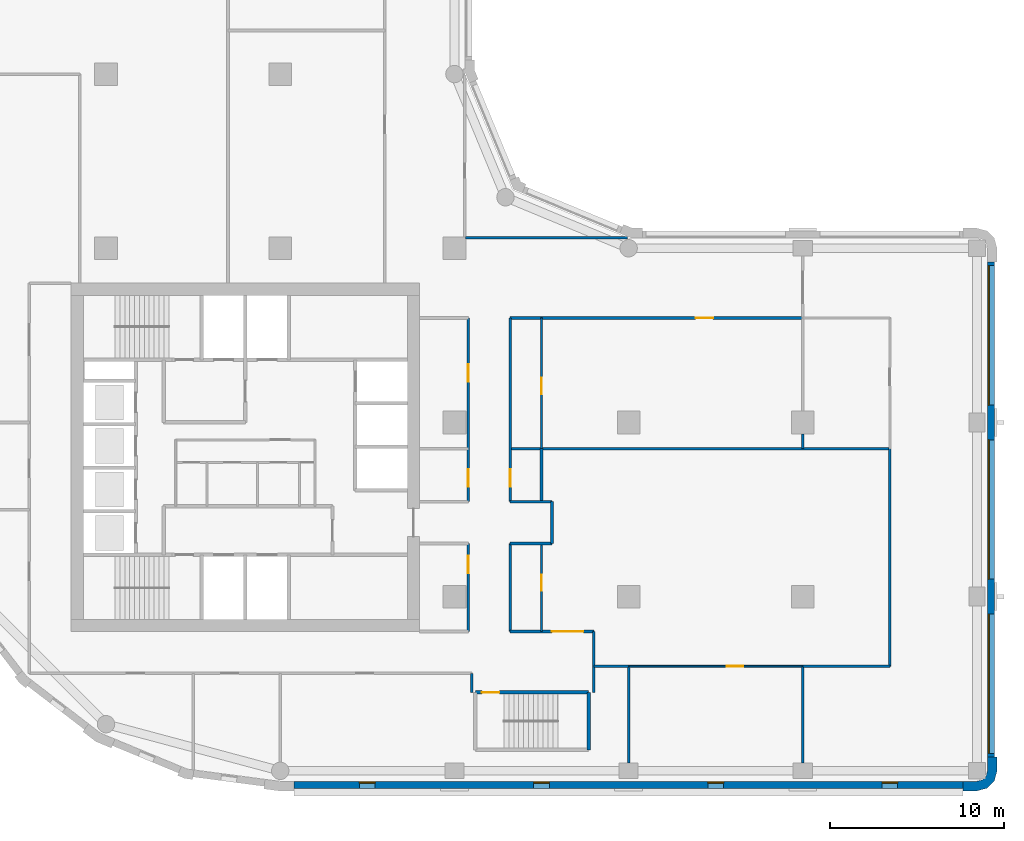
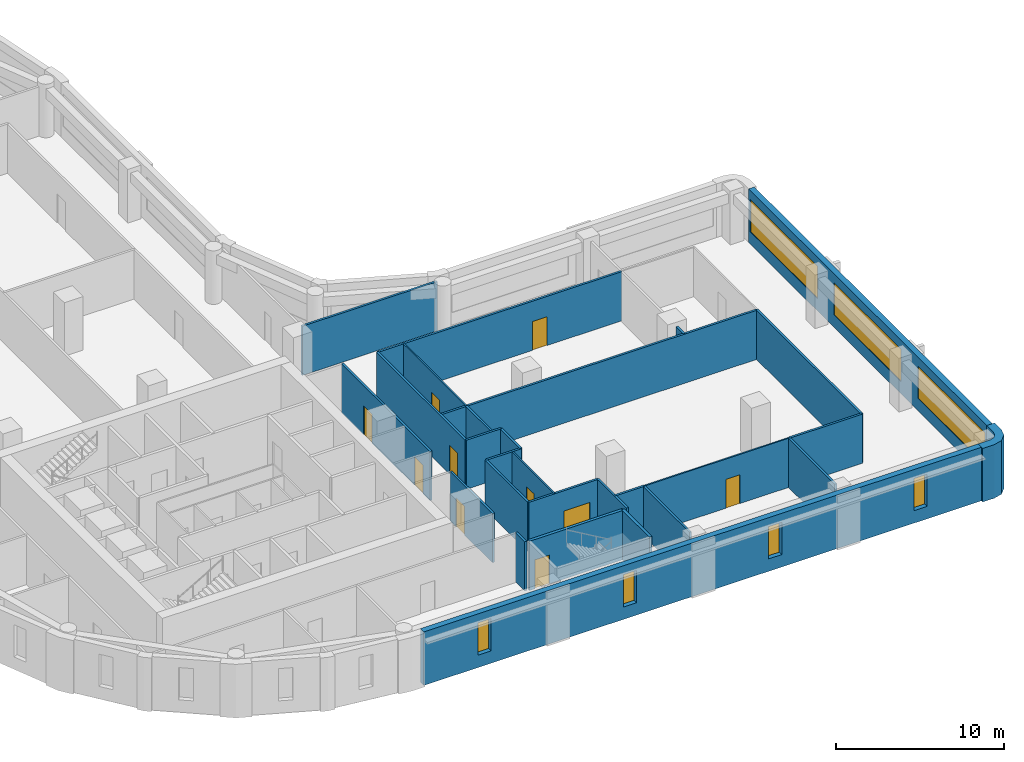
# One storey, part 4 of 9: 28 walls, 10 doors, 7 windows, 17 openings.
"""IFC4 building model written with IfcOpenShell, lengths in metres."""

from ifc_helpers import new_model, si_unit, direction, frame, frame_2d, origin, place, context, subcontext, project, spatial, polyline, rectangle, outline, extrude, material, layer, layer_set, type_object, element, fill, save


model = new_model("IFC4")

# Units and contexts
model_context = context("Model", 3, precision=1e-05, world=origin(), true_north=direction((0.0, 1.0)))
body_context = subcontext(model_context, "Body", "Model", "MODEL_VIEW")
ifc_project = project(units=[si_unit("LENGTHUNIT", "METRE"), si_unit("AREAUNIT", "SQUARE_METRE"), si_unit("VOLUMEUNIT", "CUBIC_METRE"), si_unit("PLANEANGLEUNIT", "RADIAN"), si_unit("MASSUNIT", "GRAM", prefix="KILO")], contexts=[model_context])

# Site, building, storey
site_placement = place(None, origin())
site = spatial("IfcSite", under=ifc_project, at=site_placement, CompositionType="ELEMENT")
building_placement = place(site_placement, origin())
building = spatial("IfcBuilding", under=site, at=building_placement, Name="Qaws Garden Tower", CompositionType="ELEMENT")
storey_placement = place(building_placement, frame((0.0, 0.0, 174.60009765625)))
storey = spatial("IfcBuildingStorey", under=building, at=storey_placement, Name="L42", CompositionType="ELEMENT", Elevation=174.60009765625)

# Wall
ifc_material_1 = material(Name="Clay facing brick masonry", Category="masonry")
ifc_layer_1 = layer(ifc_material_1, 0.550048828125)
ifc_layer_set_1 = layer_set([ifc_layer_1], Name="Clay facing brick masonry")
wall_type_1 = type_object("IfcWallType", Name="Brick corner pier 550 x 2400", PredefinedType="SOLIDWALL", material=ifc_layer_set_1)
wall_1_placement = place(storey_placement, origin())
element("IfcWall", 1, at=wall_1_placement, inside=storey, type_object=wall_type_1, Name="E-L42-pier-04", PredefinedType="SOLIDWALL", context=body_context, shape_type="SweptSolid", body=[
    extrude(outline(polyline([(59.199951171875, -1.0), (59.199951171875, -1.14990234375), (60.0, -1.14990234375), (60.574951171875, -0.995849609375), (60.995849609375, -0.574951171875), (61.14990234375, 0.0), (61.14990234375, 0.800048828125), (61.0, 0.800048828125), (60.60009765625, 0.800048828125), (60.60009765625, 0.0), (60.51953125, -0.300048828125), (60.300048828125, -0.51953125), (60.0, -0.60009765625), (59.199951171875, -0.60009765625), (59.199951171875, -1.0)])), origin(), (0.0, 0.0, 1.0), 3.89990234375),
])

# Wall, openings, windows
ifc_material_2 = material(Name="Clay facing brick masonry", Category="masonry")
ifc_layer_2 = layer(ifc_material_2, 0.39990234375)
ifc_layer_set_2 = layer_set([ifc_layer_2], Name="Clay facing brick masonry")
wall_type_2 = type_object("IfcWallType", Name="Brick infill wall 400", PredefinedType="SOLIDWALL", material=ifc_layer_set_2)
wall_2_placement = place(storey_placement, frame((20.800048828125, -0.800048828125, 0.0), z_axis=(0.0, 0.0, 1.0), x_axis=(1.0, 0.0, 0.0)))
wall_2 = element("IfcWall", 2, at=wall_2_placement, inside=storey, type_object=wall_type_2, Name="E-L42-infill-00", PredefinedType="SOLIDWALL", context=body_context, shape_type="SweptSolid", body=[
    extrude(rectangle(XDim=38.39990234375, YDim=0.39990234375, at=frame_2d((19.199951171875, 0.0))), origin(), (0.0, 0.0, 1.0), 3.89990234375),
])
opening_1_placement = place(wall_2_placement, frame((3.75, 0.0, 0.89990234375)))
opening_1 = element("IfcOpeningElement", 3, at=opening_1_placement, cuts=wall_2, Name="Opening W09", PredefinedType="OPENING", context=body_context, shape_type="SweptSolid", body=[
    extrude(rectangle(XDim=0.89990234375, YDim=2.35009765625, at=frame_2d((0.449951171875, 1.175048828125))), frame((0.0, 0.2099609375, 0.0), z_axis=(0.0, -1.0, 0.0), x_axis=(1.0, 0.0, 0.0)), (0.0, 0.0, 1.0), 0.419921875),
])
opening_2_placement = place(wall_2_placement, frame((13.75, 0.0, 0.89990234375)))
opening_2 = element("IfcOpeningElement", 4, at=opening_2_placement, cuts=wall_2, Name="Opening W09", PredefinedType="OPENING", context=body_context, shape_type="SweptSolid", body=[
    extrude(rectangle(XDim=0.89990234375, YDim=2.35009765625, at=frame_2d((0.449951171875, 1.175048828125))), frame((0.0, 0.2099609375, 0.0), z_axis=(0.0, -1.0, 0.0), x_axis=(1.0, 0.0, 0.0)), (0.0, 0.0, 1.0), 0.419921875),
])
opening_3_placement = place(wall_2_placement, frame((23.75, 0.0, 0.89990234375)))
opening_3 = element("IfcOpeningElement", 5, at=opening_3_placement, cuts=wall_2, Name="Opening W09", PredefinedType="OPENING", context=body_context, shape_type="SweptSolid", body=[
    extrude(rectangle(XDim=0.89990234375, YDim=2.35009765625, at=frame_2d((0.449951171875, 1.175048828125))), frame((0.0, 0.2099609375, 0.0), z_axis=(0.0, -1.0, 0.0), x_axis=(1.0, 0.0, 0.0)), (0.0, 0.0, 1.0), 0.419921875),
])
opening_4_placement = place(wall_2_placement, frame((33.75, 0.0, 0.89990234375)))
opening_4 = element("IfcOpeningElement", 6, at=opening_4_placement, cuts=wall_2, Name="Opening W09", PredefinedType="OPENING", context=body_context, shape_type="SweptSolid", body=[
    extrude(rectangle(XDim=0.89990234375, YDim=2.35009765625, at=frame_2d((0.449951171875, 1.175048828125))), frame((0.0, 0.2099609375, 0.0), z_axis=(0.0, -1.0, 0.0), x_axis=(1.0, 0.0, 0.0)), (0.0, 0.0, 1.0), 0.419921875),
])
ifc_material_3 = material(Name="Aluminium framed window, clear glazing", Category="aluminium")
window_type_1 = type_object("IfcWindowType", Name="Slit window 900 x 2350", PartitioningType="SINGLE_PANEL", PredefinedType="WINDOW", material=ifc_material_3)
window_1_placement = place(opening_1_placement, origin())
window_1 = element("IfcWindow", 7, at=window_1_placement, inside=storey, type_object=window_type_1, Name="E-L42-window-00-0", OverallHeight=2.35009765625, OverallWidth=0.89990234375, PartitioningType="SINGLE_PANEL", PredefinedType="WINDOW", context=body_context, shape_type="SweptSolid", body=[
    extrude(rectangle(XDim=0.89990234375, YDim=2.35009765625, at=frame_2d((0.449951171875, 1.175048828125))), frame((0.0, 0.159912109375, 0.0), z_axis=(0.0, -1.0, 0.0), x_axis=(1.0, 0.0, 0.0)), (0.0, 0.0, 1.0), 0.06005859375),
])
fill(opening_1, window_1)
window_2_placement = place(opening_2_placement, origin())
window_2 = element("IfcWindow", 8, at=window_2_placement, inside=storey, type_object=window_type_1, Name="E-L42-window-01-0", OverallHeight=2.35009765625, OverallWidth=0.89990234375, PartitioningType="SINGLE_PANEL", PredefinedType="WINDOW", context=body_context, shape_type="SweptSolid", body=[
    extrude(rectangle(XDim=0.89990234375, YDim=2.35009765625, at=frame_2d((0.449951171875, 1.175048828125))), frame((0.0, 0.159912109375, 0.0), z_axis=(0.0, -1.0, 0.0), x_axis=(1.0, 0.0, 0.0)), (0.0, 0.0, 1.0), 0.06005859375),
])
fill(opening_2, window_2)
window_3_placement = place(opening_3_placement, origin())
window_3 = element("IfcWindow", 9, at=window_3_placement, inside=storey, type_object=window_type_1, Name="E-L42-window-02-0", OverallHeight=2.35009765625, OverallWidth=0.89990234375, PartitioningType="SINGLE_PANEL", PredefinedType="WINDOW", context=body_context, shape_type="SweptSolid", body=[
    extrude(rectangle(XDim=0.89990234375, YDim=2.35009765625, at=frame_2d((0.449951171875, 1.175048828125))), frame((0.0, 0.159912109375, 0.0), z_axis=(0.0, -1.0, 0.0), x_axis=(1.0, 0.0, 0.0)), (0.0, 0.0, 1.0), 0.06005859375),
])
fill(opening_3, window_3)
window_4_placement = place(opening_4_placement, origin())
window_4 = element("IfcWindow", 10, at=window_4_placement, inside=storey, type_object=window_type_1, Name="E-L42-window-03-0", OverallHeight=2.35009765625, OverallWidth=0.89990234375, PartitioningType="SINGLE_PANEL", PredefinedType="WINDOW", context=body_context, shape_type="SweptSolid", body=[
    extrude(rectangle(XDim=0.89990234375, YDim=2.35009765625, at=frame_2d((0.449951171875, 1.175048828125))), frame((0.0, 0.159912109375, 0.0), z_axis=(0.0, -1.0, 0.0), x_axis=(1.0, 0.0, 0.0)), (0.0, 0.0, 1.0), 0.06005859375),
])
fill(opening_4, window_4)

wall_3_placement = place(storey_placement, frame((60.800048828125, 0.800048828125, 0.0), z_axis=(0.0, 0.0, 1.0), x_axis=(0.0, 1.0, 0.0)))
wall_3 = element("IfcWall", 11, at=wall_3_placement, inside=storey, type_object=wall_type_2, Name="E-L42-infill-04", PredefinedType="SOLIDWALL", context=body_context, shape_type="SweptSolid", body=[
    extrude(rectangle(XDim=28.39990234375, YDim=0.39990234375, at=frame_2d((14.199951171875, 0.0))), origin(), (0.0, 0.0, 1.0), 3.89990234375),
])
opening_5_placement = place(wall_3_placement, frame((0.199951171875, 0.0, 0.89990234375)))
opening_5 = element("IfcOpeningElement", 12, at=opening_5_placement, cuts=wall_3, Name="Opening W01", PredefinedType="OPENING", context=body_context, shape_type="SweptSolid", body=[
    extrude(rectangle(XDim=8.0, YDim=2.35009765625, at=frame_2d((4.0, 1.175048828125))), frame((0.0, 0.2099609375, 0.0), z_axis=(0.0, -1.0, 0.0), x_axis=(1.0, 0.0, 0.0)), (0.0, 0.0, 1.0), 0.419921875),
])
opening_6_placement = place(wall_3_placement, frame((10.199951171875, 0.0, 0.89990234375)))
opening_6 = element("IfcOpeningElement", 13, at=opening_6_placement, cuts=wall_3, Name="Opening W01", PredefinedType="OPENING", context=body_context, shape_type="SweptSolid", body=[
    extrude(rectangle(XDim=8.0, YDim=2.35009765625, at=frame_2d((4.0, 1.175048828125))), frame((0.0, 0.2099609375, 0.0), z_axis=(0.0, -1.0, 0.0), x_axis=(1.0, 0.0, 0.0)), (0.0, 0.0, 1.0), 0.419921875),
])
opening_7_placement = place(wall_3_placement, frame((20.199951171875, 0.0, 0.89990234375)))
opening_7 = element("IfcOpeningElement", 14, at=opening_7_placement, cuts=wall_3, Name="Opening W01", PredefinedType="OPENING", context=body_context, shape_type="SweptSolid", body=[
    extrude(rectangle(XDim=8.0, YDim=2.35009765625, at=frame_2d((4.0, 1.175048828125))), frame((0.0, 0.2099609375, 0.0), z_axis=(0.0, -1.0, 0.0), x_axis=(1.0, 0.0, 0.0)), (0.0, 0.0, 1.0), 0.419921875),
])
ifc_material_4 = material(Name="Aluminium framed window, clear glazing", Category="aluminium")
window_type_2 = type_object("IfcWindowType", Name="Ribbon window 8000 x 2350", PartitioningType="DOUBLE_PANEL_VERTICAL", PredefinedType="WINDOW", material=ifc_material_4)
window_5_placement = place(opening_5_placement, origin())
window_5 = element("IfcWindow", 15, at=window_5_placement, inside=storey, type_object=window_type_2, Name="E-L42-window-04-0", OverallHeight=2.35009765625, OverallWidth=8.0, PartitioningType="SINGLE_PANEL", PredefinedType="WINDOW", context=body_context, shape_type="SweptSolid", body=[
    extrude(rectangle(XDim=8.0, YDim=2.35009765625, at=frame_2d((4.0, 1.175048828125))), frame((0.0, 0.159912109375, 0.0), z_axis=(0.0, -1.0, 0.0), x_axis=(1.0, 0.0, 0.0)), (0.0, 0.0, 1.0), 0.06005859375),
])
fill(opening_5, window_5)
window_6_placement = place(opening_6_placement, origin())
window_6 = element("IfcWindow", 16, at=window_6_placement, inside=storey, type_object=window_type_2, Name="E-L42-window-05-0", OverallHeight=2.35009765625, OverallWidth=8.0, PartitioningType="SINGLE_PANEL", PredefinedType="WINDOW", context=body_context, shape_type="SweptSolid", body=[
    extrude(rectangle(XDim=8.0, YDim=2.35009765625, at=frame_2d((4.0, 1.175048828125))), frame((0.0, 0.159912109375, 0.0), z_axis=(0.0, -1.0, 0.0), x_axis=(1.0, 0.0, 0.0)), (0.0, 0.0, 1.0), 0.06005859375),
])
fill(opening_6, window_6)
window_7_placement = place(opening_7_placement, origin())
window_7 = element("IfcWindow", 17, at=window_7_placement, inside=storey, type_object=window_type_2, Name="E-L42-window-06-0", OverallHeight=2.35009765625, OverallWidth=8.0, PartitioningType="SINGLE_PANEL", PredefinedType="WINDOW", context=body_context, shape_type="SweptSolid", body=[
    extrude(rectangle(XDim=8.0, YDim=2.35009765625, at=frame_2d((4.0, 1.175048828125))), frame((0.0, 0.159912109375, 0.0), z_axis=(0.0, -1.0, 0.0), x_axis=(1.0, 0.0, 0.0)), (0.0, 0.0, 1.0), 0.06005859375),
])
fill(opening_7, window_7)

# Wall, opening, door
ifc_material_5 = material(Name="Concrete C70", Category="concrete")
ifc_layer_3 = layer(ifc_material_5, 0.199951171875)
ifc_layer_set_3 = layer_set([ifc_layer_3], Name="Concrete C70")
wall_type_3 = type_object("IfcWallType", Name="Core shaft wall 200 C70", PredefinedType="SHEAR", material=ifc_layer_set_3)
wall_4_placement = place(storey_placement, frame((31.199951171875, 4.5, 0.0), z_axis=(0.0, 0.0, 1.0), x_axis=(1.0, 0.0, 0.0)))
wall_4 = element("IfcWall", 18, at=wall_4_placement, inside=storey, type_object=wall_type_3, Name="Shaft wall", PredefinedType="SHEAR", context=body_context, shape_type="SweptSolid", body=[
    extrude(rectangle(XDim=6.5, YDim=0.199951171875, at=frame_2d((3.25, 0.0))), origin(), (0.0, 0.0, 1.0), 3.579833984375),
])
opening_8_placement = place(wall_4_placement, frame((0.375, 0.0, 0.0)))
opening_8 = element("IfcOpeningElement", 19, at=opening_8_placement, cuts=wall_4, Name="Opening SD12", PredefinedType="OPENING", context=body_context, shape_type="SweptSolid", body=[
    extrude(rectangle(XDim=1.0, YDim=2.10009765625, at=frame_2d((0.5, 1.050048828125))), frame((0.0, 0.10986328125, 0.0), z_axis=(0.0, -1.0, 0.0), x_axis=(1.0, 0.0, 0.0)), (0.0, 0.0, 1.0), 0.219970703125),
])
ifc_material_6 = material(Name="Steel S235", Category="steel")
door_type_1 = type_object("IfcDoorType", Name="Stair door 1000x2100", OperationType="SINGLE_SWING_RIGHT", PredefinedType="DOOR", material=ifc_material_6)
door_1_placement = place(opening_8_placement, frame((1.0, 0.0, 0.0), z_axis=(0.0, 0.0, 1.0), x_axis=(-1.0, 0.0, 0.0)))
door_1 = element("IfcDoor", 20, at=door_1_placement, inside=storey, type_object=door_type_1, Name="Stair 5 door", OperationType="SINGLE_SWING_RIGHT", OverallHeight=2.10009765625, OverallWidth=1.0, PredefinedType="DOOR", context=body_context, shape_type="SweptSolid", body=[
    extrude(rectangle(XDim=1.0, YDim=2.10009765625, at=frame_2d((0.5, 1.050048828125))), frame((0.0, 0.02490234375, 0.0), z_axis=(0.0, -1.0, 0.0), x_axis=(1.0, 0.0, 0.0)), (0.0, 0.0, 1.0), 0.050048828125),
])
fill(opening_8, door_1)

# Wall
wall_5_placement = place(storey_placement, frame((37.699951171875, 1.199951171875, 0.0), z_axis=(0.0, 0.0, 1.0), x_axis=(0.0, 1.0, 0.0)))
element("IfcWall", 21, at=wall_5_placement, inside=storey, type_object=wall_type_3, Name="Shaft wall", PredefinedType="SHEAR", context=body_context, shape_type="SweptSolid", body=[
    extrude(rectangle(XDim=3.300048828125, YDim=0.199951171875, at=frame_2d((1.64990234375, 0.0))), origin(), (0.0, 0.0, 1.0), 3.579833984375),
])

# Wall, opening, door
ifc_material_7 = material(Name="Gypsum board partition")
ifc_layer_4 = layer(ifc_material_7, 0.10009765625)
ifc_layer_set_4 = layer_set([ifc_layer_4], Name="Gypsum board partition")
wall_type_4 = type_object("IfcWallType", Name="PARTITION 100", PredefinedType="PARTITIONING", material=ifc_layer_set_4)
wall_6_placement = place(storey_placement, frame((35.0, 8.0, 0.0), z_axis=(0.0, 0.0, 1.0), x_axis=(0.0, 1.0, 0.0)))
wall_6 = element("IfcWall", 22, at=wall_6_placement, inside=storey, type_object=wall_type_4, Name="O-L42-wall-001", PredefinedType="PARTITIONING", context=body_context, shape_type="SweptSolid", body=[
    extrude(rectangle(XDim=5.050048828125, YDim=0.10009765625, at=frame_2d((2.52490234375, 0.0))), origin(), (0.0, 0.0, 1.0), 3.579833984375),
])
opening_9_placement = place(wall_6_placement, frame((2.35009765625, 0.0, 0.0)))
opening_9 = element("IfcOpeningElement", 23, at=opening_9_placement, cuts=wall_6, Name="Opening B419", PredefinedType="OPENING", context=body_context, shape_type="SweptSolid", body=[
    extrude(rectangle(XDim=0.89990234375, YDim=2.10009765625, at=frame_2d((0.449951171875, 1.050048828125))), frame((0.0, 0.06005859375, 0.0), z_axis=(0.0, -1.0, 0.0), x_axis=(1.0, 0.0, 0.0)), (0.0, 0.0, 1.0), 0.1201171875),
])
ifc_material_8 = material(Name="Timber door leaf", Category="wood")
door_type_2 = type_object("IfcDoorType", Name="OFFICE DOOR 900 X 2100", OperationType="SINGLE_SWING_LEFT", PredefinedType="DOOR", material=ifc_material_8)
door_2_placement = place(opening_9_placement, origin())
door_2 = element("IfcDoor", 24, at=door_2_placement, inside=storey, type_object=door_type_2, Name="O-L42-door-019", OperationType="SINGLE_SWING_RIGHT", OverallHeight=2.10009765625, OverallWidth=0.89990234375, PredefinedType="DOOR", context=body_context, shape_type="SweptSolid", body=[
    extrude(rectangle(XDim=0.89990234375, YDim=2.10009765625, at=frame_2d((0.449951171875, 1.050048828125))), frame((0.0, 0.02490234375, 0.0), z_axis=(0.0, -1.0, 0.0), x_axis=(1.0, 0.0, 0.0)), (0.0, 0.0, 1.0), 0.050048828125),
])
fill(opening_9, door_2)

wall_7_placement = place(storey_placement, frame((35.0, 18.5, 0.0), z_axis=(0.0, 0.0, 1.0), x_axis=(0.0, 1.0, 0.0)))
wall_7 = element("IfcWall", 25, at=wall_7_placement, inside=storey, type_object=wall_type_4, Name="O-L42-wall-002", PredefinedType="PARTITIONING", context=body_context, shape_type="SweptSolid", body=[
    extrude(rectangle(XDim=7.5, YDim=0.10009765625, at=frame_2d((3.75, 0.0))), origin(), (0.0, 0.0, 1.0), 3.579833984375),
])
opening_10_placement = place(wall_7_placement, frame((3.125, 0.0, 0.0)))
opening_10 = element("IfcOpeningElement", 26, at=opening_10_placement, cuts=wall_7, Name="Opening B421", PredefinedType="OPENING", context=body_context, shape_type="SweptSolid", body=[
    extrude(rectangle(XDim=0.949951171875, YDim=2.10009765625, at=frame_2d((0.47509765625, 1.050048828125))), frame((0.0, 0.06005859375, 0.0), z_axis=(0.0, -1.0, 0.0), x_axis=(1.0, 0.0, 0.0)), (0.0, 0.0, 1.0), 0.1201171875),
])
ifc_material_9 = material(Name="Timber and glass door leaf", Category="wood")
door_type_3 = type_object("IfcDoorType", Name="GLAZED DOOR 950 X 2100", OperationType="SINGLE_SWING_LEFT", PredefinedType="DOOR", material=ifc_material_9)
door_3_placement = place(opening_10_placement, origin())
door_3 = element("IfcDoor", 27, at=door_3_placement, inside=storey, type_object=door_type_3, Name="O-L42-door-021", OperationType="SINGLE_SWING_RIGHT", OverallHeight=2.10009765625, OverallWidth=0.949951171875, PredefinedType="DOOR", context=body_context, shape_type="SweptSolid", body=[
    extrude(rectangle(XDim=0.949951171875, YDim=2.10009765625, at=frame_2d((0.47509765625, 1.050048828125))), frame((0.0, 0.02490234375, 0.0), z_axis=(0.0, -1.0, 0.0), x_axis=(1.0, 0.0, 0.0)), (0.0, 0.0, 1.0), 0.050048828125),
])
fill(opening_10, door_3)

wall_8_placement = place(storey_placement, frame((40.0, 6.0, 0.0), z_axis=(0.0, 0.0, 1.0), x_axis=(1.0, 0.0, 0.0)))
wall_8 = element("IfcWall", 28, at=wall_8_placement, inside=storey, type_object=wall_type_4, Name="O-L42-wall-004", PredefinedType="PARTITIONING", context=body_context, shape_type="SweptSolid", body=[
    extrude(rectangle(XDim=10.0, YDim=0.10009765625, at=frame_2d((5.0, 0.0))), origin(), (0.0, 0.0, 1.0), 3.579833984375),
])
opening_11_placement = place(wall_8_placement, frame((5.625, 0.0, 0.0)))
opening_11 = element("IfcOpeningElement", 29, at=opening_11_placement, cuts=wall_8, Name="Opening B420", PredefinedType="OPENING", context=body_context, shape_type="SweptSolid", body=[
    extrude(rectangle(XDim=0.949951171875, YDim=2.10009765625, at=frame_2d((0.47509765625, 1.050048828125))), frame((0.0, 0.06005859375, 0.0), z_axis=(0.0, -1.0, 0.0), x_axis=(1.0, 0.0, 0.0)), (0.0, 0.0, 1.0), 0.1201171875),
])
door_4_placement = place(opening_11_placement, frame((0.949951171875, 0.0, 0.0), z_axis=(0.0, 0.0, 1.0), x_axis=(-1.0, 0.0, 0.0)))
door_4 = element("IfcDoor", 30, at=door_4_placement, inside=storey, type_object=door_type_3, Name="O-L42-door-020", OperationType="SINGLE_SWING_RIGHT", OverallHeight=2.10009765625, OverallWidth=0.949951171875, PredefinedType="DOOR", context=body_context, shape_type="SweptSolid", body=[
    extrude(rectangle(XDim=0.949951171875, YDim=2.10009765625, at=frame_2d((0.47509765625, 1.050048828125))), frame((0.0, 0.02490234375, 0.0), z_axis=(0.0, -1.0, 0.0), x_axis=(1.0, 0.0, 0.0)), (0.0, 0.0, 1.0), 0.050048828125),
])
fill(opening_11, door_4)

ifc_material_10 = material(Name="Gypsum board partition")
ifc_layer_5 = layer(ifc_material_10, 0.14990234375)
ifc_layer_set_5 = layer_set([ifc_layer_5], Name="Gypsum board partition")
wall_type_5 = type_object("IfcWallType", Name="PARTITION 150 EI 60", PredefinedType="PARTITIONING", material=ifc_layer_set_5)
wall_9_placement = place(storey_placement, frame((30.800048828125, 8.0, 0.0), z_axis=(0.0, 0.0, 1.0), x_axis=(0.0, 1.0, 0.0)))
wall_9 = element("IfcWall", 31, at=wall_9_placement, inside=storey, type_object=wall_type_5, Name="O-L42-wall-016", PredefinedType="PARTITIONING", context=body_context, shape_type="SweptSolid", body=[
    extrude(rectangle(XDim=5.050048828125, YDim=0.14990234375, at=frame_2d((2.52490234375, 0.0))), origin(), (0.0, 0.0, 1.0), 3.579833984375),
])
opening_12_placement = place(wall_9_placement, frame((3.35009765625, 0.0, 0.0)))
opening_12 = element("IfcOpeningElement", 32, at=opening_12_placement, cuts=wall_9, Name="Opening B418", PredefinedType="OPENING", context=body_context, shape_type="SweptSolid", body=[
    extrude(rectangle(XDim=1.0, YDim=2.10009765625, at=frame_2d((0.5, 1.050048828125))), frame((0.0, 0.0849609375, 0.0), z_axis=(0.0, -1.0, 0.0), x_axis=(1.0, 0.0, 0.0)), (0.0, 0.0, 1.0), 0.169921875),
])
ifc_material_11 = material(Name="Timber door leaf", Category="wood")
door_type_4 = type_object("IfcDoorType", Name="TENANCY ENTRANCE DOOR 1000 X 2100", OperationType="SINGLE_SWING_LEFT", PredefinedType="DOOR", material=ifc_material_11)
door_5_placement = place(opening_12_placement, origin())
door_5 = element("IfcDoor", 33, at=door_5_placement, inside=storey, type_object=door_type_4, Name="O-L42-door-018", OperationType="SINGLE_SWING_RIGHT", OverallHeight=2.10009765625, OverallWidth=1.0, PredefinedType="DOOR", context=body_context, shape_type="SweptSolid", body=[
    extrude(rectangle(XDim=1.0, YDim=2.10009765625, at=frame_2d((0.5, 1.050048828125))), frame((0.0, 0.02490234375, 0.0), z_axis=(0.0, -1.0, 0.0), x_axis=(1.0, 0.0, 0.0)), (0.0, 0.0, 1.0), 0.050048828125),
])
fill(opening_12, door_5)

# Wall, openings, doors
wall_10_placement = place(storey_placement, frame((30.800048828125, 15.449951171875, 0.0), z_axis=(0.0, 0.0, 1.0), x_axis=(0.0, 1.0, 0.0)))
wall_10 = element("IfcWall", 34, at=wall_10_placement, inside=storey, type_object=wall_type_5, Name="O-L42-wall-017", PredefinedType="PARTITIONING", context=body_context, shape_type="SweptSolid", body=[
    extrude(rectangle(XDim=10.550048828125, YDim=0.14990234375, at=frame_2d((5.27490234375, 0.0))), origin(), (0.0, 0.0, 1.0), 3.579833984375),
])
opening_13_placement = place(wall_10_placement, frame((0.85009765625, 0.0, 0.0)))
opening_13 = element("IfcOpeningElement", 35, at=opening_13_placement, cuts=wall_10, Name="Opening B404", PredefinedType="OPENING", context=body_context, shape_type="SweptSolid", body=[
    extrude(rectangle(XDim=1.0, YDim=2.10009765625, at=frame_2d((0.5, 1.050048828125))), frame((0.0, 0.0849609375, 0.0), z_axis=(0.0, -1.0, 0.0), x_axis=(1.0, 0.0, 0.0)), (0.0, 0.0, 1.0), 0.169921875),
])
opening_14_placement = place(wall_10_placement, frame((6.89990234375, 0.0, 0.0)))
opening_14 = element("IfcOpeningElement", 36, at=opening_14_placement, cuts=wall_10, Name="Opening B416", PredefinedType="OPENING", context=body_context, shape_type="SweptSolid", body=[
    extrude(rectangle(XDim=1.0, YDim=2.10009765625, at=frame_2d((0.5, 1.050048828125))), frame((0.0, 0.0849609375, 0.0), z_axis=(0.0, -1.0, 0.0), x_axis=(1.0, 0.0, 0.0)), (0.0, 0.0, 1.0), 0.169921875),
])
door_6_placement = place(opening_13_placement, origin())
door_6 = element("IfcDoor", 37, at=door_6_placement, inside=storey, type_object=door_type_4, Name="O-L42-door-004", OperationType="SINGLE_SWING_LEFT", OverallHeight=2.10009765625, OverallWidth=1.0, PredefinedType="DOOR", context=body_context, shape_type="SweptSolid", body=[
    extrude(rectangle(XDim=1.0, YDim=2.10009765625, at=frame_2d((0.5, 1.050048828125))), frame((0.0, 0.02490234375, 0.0), z_axis=(0.0, -1.0, 0.0), x_axis=(1.0, 0.0, 0.0)), (0.0, 0.0, 1.0), 0.050048828125),
])
fill(opening_13, door_6)
door_7_placement = place(opening_14_placement, origin())
door_7 = element("IfcDoor", 38, at=door_7_placement, inside=storey, type_object=door_type_4, Name="O-L42-door-016", OperationType="SINGLE_SWING_RIGHT", OverallHeight=2.10009765625, OverallWidth=1.0, PredefinedType="DOOR", context=body_context, shape_type="SweptSolid", body=[
    extrude(rectangle(XDim=1.0, YDim=2.10009765625, at=frame_2d((0.5, 1.050048828125))), frame((0.0, 0.02490234375, 0.0), z_axis=(0.0, -1.0, 0.0), x_axis=(1.0, 0.0, 0.0)), (0.0, 0.0, 1.0), 0.050048828125),
])
fill(opening_14, door_7)

# Walls
wall_11_placement = place(storey_placement, frame((31.0, 4.5, 0.0), z_axis=(0.0, 0.0, 1.0), x_axis=(0.0, 1.0, 0.0)))
element("IfcWall", 39, at=wall_11_placement, inside=storey, type_object=wall_type_5, Name="O-L42-wall-018", PredefinedType="PARTITIONING", context=body_context, shape_type="SweptSolid", body=[
    extrude(rectangle(XDim=1.10009765625, YDim=0.14990234375, at=frame_2d((0.550048828125, 0.0))), origin(), (0.0, 0.0, 1.0), 3.579833984375),
])
wall_12_placement = place(storey_placement, frame((33.199951171875, 8.0, 0.0), z_axis=(0.0, 0.0, 1.0), x_axis=(0.0, 1.0, 0.0)))
element("IfcWall", 40, at=wall_12_placement, inside=storey, type_object=wall_type_5, Name="O-L42-wall-019", PredefinedType="PARTITIONING", context=body_context, shape_type="SweptSolid", body=[
    extrude(rectangle(XDim=5.050048828125, YDim=0.14990234375, at=frame_2d((2.52490234375, 0.0))), origin(), (0.0, 0.0, 1.0), 3.579833984375),
])

# Wall, opening, door
wall_13_placement = place(storey_placement, frame((33.199951171875, 15.449951171875, 0.0), z_axis=(0.0, 0.0, 1.0), x_axis=(0.0, 1.0, 0.0)))
wall_13 = element("IfcWall", 41, at=wall_13_placement, inside=storey, type_object=wall_type_5, Name="O-L42-wall-020", PredefinedType="PARTITIONING", context=body_context, shape_type="SweptSolid", body=[
    extrude(rectangle(XDim=10.550048828125, YDim=0.14990234375, at=frame_2d((5.27490234375, 0.0))), origin(), (0.0, 0.0, 1.0), 3.579833984375),
])
opening_15_placement = place(wall_13_placement, frame((0.85009765625, 0.0, 0.0)))
opening_15 = element("IfcOpeningElement", 42, at=opening_15_placement, cuts=wall_13, Name="Opening B403", PredefinedType="OPENING", context=body_context, shape_type="SweptSolid", body=[
    extrude(rectangle(XDim=1.0, YDim=2.10009765625, at=frame_2d((0.5, 1.050048828125))), frame((0.0, 0.0849609375, 0.0), z_axis=(0.0, -1.0, 0.0), x_axis=(1.0, 0.0, 0.0)), (0.0, 0.0, 1.0), 0.169921875),
])
door_8_placement = place(opening_15_placement, frame((1.0, 0.0, 0.0), z_axis=(0.0, 0.0, 1.0), x_axis=(-1.0, 0.0, 0.0)))
door_8 = element("IfcDoor", 43, at=door_8_placement, inside=storey, type_object=door_type_4, Name="O-L42-door-003", OperationType="SINGLE_SWING_RIGHT", OverallHeight=2.10009765625, OverallWidth=1.0, PredefinedType="DOOR", context=body_context, shape_type="SweptSolid", body=[
    extrude(rectangle(XDim=1.0, YDim=2.10009765625, at=frame_2d((0.5, 1.050048828125))), frame((0.0, 0.02490234375, 0.0), z_axis=(0.0, -1.0, 0.0), x_axis=(1.0, 0.0, 0.0)), (0.0, 0.0, 1.0), 0.050048828125),
])
fill(opening_15, door_8)

# Walls
wall_14_placement = place(storey_placement, frame((35.0, 15.449951171875, 0.0), z_axis=(0.0, 0.0, 1.0), x_axis=(0.0, 1.0, 0.0)))
element("IfcWall", 44, at=wall_14_placement, inside=storey, type_object=wall_type_5, Name="O-L42-wall-021", PredefinedType="PARTITIONING", context=body_context, shape_type="SweptSolid", body=[
    extrude(rectangle(XDim=3.050048828125, YDim=0.14990234375, at=frame_2d((1.52490234375, 0.0))), origin(), (0.0, 0.0, 1.0), 3.579833984375),
])
wall_15_placement = place(storey_placement, frame((35.60009765625, 13.050048828125, 0.0), z_axis=(0.0, 0.0, 1.0), x_axis=(0.0, 1.0, 0.0)))
element("IfcWall", 45, at=wall_15_placement, inside=storey, type_object=wall_type_5, Name="O-L42-wall-022", PredefinedType="PARTITIONING", context=body_context, shape_type="SweptSolid", body=[
    extrude(rectangle(XDim=2.39990234375, YDim=0.14990234375, at=frame_2d((1.199951171875, 0.0))), origin(), (0.0, 0.0, 1.0), 3.579833984375),
])
wall_16_placement = place(storey_placement, frame((38.0, 4.5, 0.0), z_axis=(0.0, 0.0, 1.0), x_axis=(0.0, 1.0, 0.0)))
element("IfcWall", 46, at=wall_16_placement, inside=storey, type_object=wall_type_5, Name="O-L42-wall-023", PredefinedType="PARTITIONING", context=body_context, shape_type="SweptSolid", body=[
    extrude(rectangle(XDim=3.5, YDim=0.14990234375, at=frame_2d((1.75, 0.0))), origin(), (0.0, 0.0, 1.0), 3.579833984375),
])
for number, where, z_axis, x_axis, name in (
    (47, (40.0, 0.449951171875, 0.0), (0.0, 0.0, 1.0), (0.0, 1.0, 0.0), "O-L42-wall-024"),
    (48, (50.0, 0.449951171875, 0.0), (0.0, 0.0, 1.0), (0.0, 1.0, 0.0), "O-L42-wall-025"),
):
    element("IfcWall", number, at=place(storey_placement, frame(where, z_axis=z_axis, x_axis=x_axis)), inside=storey, type_object=wall_type_5, Name=name, PredefinedType="PARTITIONING", context=body_context, shape_type="SweptSolid", body=[
        extrude(rectangle(XDim=5.550048828125, YDim=0.14990234375, at=frame_2d((2.77490234375, 0.0))), origin(), (0.0, 0.0, 1.0), 3.579833984375),
    ])
wall_17_placement = place(storey_placement, frame((50.0, 18.5, 0.0), z_axis=(0.0, 0.0, 1.0), x_axis=(0.0, 1.0, 0.0)))
element("IfcWall", 49, at=wall_17_placement, inside=storey, type_object=wall_type_5, Name="O-L42-wall-026", PredefinedType="PARTITIONING", context=body_context, shape_type="SweptSolid", body=[
    extrude(rectangle(XDim=0.85009765625, YDim=0.14990234375, at=frame_2d((0.425048828125, 0.0))), origin(), (0.0, 0.0, 1.0), 3.579833984375),
])
wall_18_placement = place(storey_placement, frame((55.0, 6.0, 0.0), z_axis=(0.0, 0.0, 1.0), x_axis=(0.0, 1.0, 0.0)))
element("IfcWall", 50, at=wall_18_placement, inside=storey, type_object=wall_type_5, Name="O-L42-wall-028", PredefinedType="PARTITIONING", context=body_context, shape_type="SweptSolid", body=[
    extrude(rectangle(XDim=12.5, YDim=0.14990234375, at=frame_2d((6.25, 0.0))), origin(), (0.0, 0.0, 1.0), 3.579833984375),
])
wall_19_placement = place(storey_placement, frame((38.0, 6.0, 0.0), z_axis=(0.0, 0.0, 1.0), x_axis=(1.0, 0.0, 0.0)))
element("IfcWall", 51, at=wall_19_placement, inside=storey, type_object=wall_type_5, Name="O-L42-wall-030", PredefinedType="PARTITIONING", context=body_context, shape_type="SweptSolid", body=[
    extrude(rectangle(XDim=2.0, YDim=0.14990234375, at=frame_2d((1.0, 0.0))), origin(), (0.0, 0.0, 1.0), 3.579833984375),
])
wall_20_placement = place(storey_placement, frame((50.0, 6.0, 0.0), z_axis=(0.0, 0.0, 1.0), x_axis=(1.0, 0.0, 0.0)))
element("IfcWall", 52, at=wall_20_placement, inside=storey, type_object=wall_type_5, Name="O-L42-wall-031", PredefinedType="PARTITIONING", context=body_context, shape_type="SweptSolid", body=[
    extrude(rectangle(XDim=5.0, YDim=0.14990234375, at=frame_2d((2.5, 0.0))), origin(), (0.0, 0.0, 1.0), 3.579833984375),
])

# Wall, opening, door
wall_21_placement = place(storey_placement, frame((33.199951171875, 8.0, 0.0), z_axis=(0.0, 0.0, 1.0), x_axis=(1.0, 0.0, 0.0)))
wall_21 = element("IfcWall", 53, at=wall_21_placement, inside=storey, type_object=wall_type_5, Name="O-L42-wall-033", PredefinedType="PARTITIONING", context=body_context, shape_type="SweptSolid", body=[
    extrude(rectangle(XDim=4.800048828125, YDim=0.14990234375, at=frame_2d((2.39990234375, 0.0))), origin(), (0.0, 0.0, 1.0), 3.579833984375),
])
opening_16_placement = place(wall_21_placement, frame((2.39990234375, 0.0, 0.0)))
opening_16 = element("IfcOpeningElement", 54, at=opening_16_placement, cuts=wall_21, Name="Opening B405", PredefinedType="OPENING", context=body_context, shape_type="SweptSolid", body=[
    extrude(rectangle(XDim=1.800048828125, YDim=2.10009765625, at=frame_2d((0.89990234375, 1.050048828125))), frame((0.0, 0.0849609375, 0.0), z_axis=(0.0, -1.0, 0.0), x_axis=(1.0, 0.0, 0.0)), (0.0, 0.0, 1.0), 0.169921875),
])
ifc_material_12 = material(Name="Timber door leaf", Category="wood")
door_type_5 = type_object("IfcDoorType", Name="DOUBLE DOOR 1800 X 2100", OperationType="DOUBLE_DOOR_SINGLE_SWING", PredefinedType="DOOR", material=ifc_material_12)
door_9_placement = place(opening_16_placement, origin())
door_9 = element("IfcDoor", 55, at=door_9_placement, inside=storey, type_object=door_type_5, Name="O-L42-door-005", OperationType="DOUBLE_DOOR_SINGLE_SWING", OverallHeight=2.10009765625, OverallWidth=1.800048828125, PredefinedType="DOOR", context=body_context, shape_type="SweptSolid", body=[
    extrude(rectangle(XDim=1.800048828125, YDim=2.10009765625, at=frame_2d((0.89990234375, 1.050048828125))), frame((0.0, 0.02490234375, 0.0), z_axis=(0.0, -1.0, 0.0), x_axis=(1.0, 0.0, 0.0)), (0.0, 0.0, 1.0), 0.050048828125),
])
fill(opening_16, door_9)

# Walls
for number, where, z_axis, x_axis, name in (
    (56, (33.199951171875, 13.050048828125, 0.0), (0.0, 0.0, 1.0), (1.0, 0.0, 0.0), "O-L42-wall-035"),
    (57, (33.199951171875, 15.449951171875, 0.0), (0.0, 0.0, 1.0), (1.0, 0.0, 0.0), "O-L42-wall-038"),
):
    element("IfcWall", number, at=place(storey_placement, frame(where, z_axis=z_axis, x_axis=x_axis)), inside=storey, type_object=wall_type_5, Name=name, PredefinedType="PARTITIONING", context=body_context, shape_type="SweptSolid", body=[
        extrude(rectangle(XDim=2.400146484375, YDim=0.14990234375, at=frame_2d((1.2001953125, 0.0))), origin(), (0.0, 0.0, 1.0), 3.579833984375),
    ])
wall_22_placement = place(storey_placement, frame((33.199951171875, 18.5, 0.0), z_axis=(0.0, 0.0, 1.0), x_axis=(1.0, 0.0, 0.0)))
element("IfcWall", 58, at=wall_22_placement, inside=storey, type_object=wall_type_5, Name="O-L42-wall-040", PredefinedType="PARTITIONING", context=body_context, shape_type="SweptSolid", body=[
    extrude(rectangle(XDim=21.800048828125, YDim=0.14990234375, at=frame_2d((10.89990234375, 0.0))), origin(), (0.0, 0.0, 1.0), 3.579833984375),
])

# Wall, opening, door
wall_23_placement = place(storey_placement, frame((33.199951171875, 26.0, 0.0), z_axis=(0.0, 0.0, 1.0), x_axis=(1.0, 0.0, 0.0)))
wall_23 = element("IfcWall", 59, at=wall_23_placement, inside=storey, type_object=wall_type_5, Name="O-L42-wall-043", PredefinedType="PARTITIONING", context=body_context, shape_type="SweptSolid", body=[
    extrude(rectangle(XDim=16.800048828125, YDim=0.14990234375, at=frame_2d((8.39990234375, 0.0))), origin(), (0.0, 0.0, 1.0), 3.579833984375),
])
opening_17_placement = place(wall_23_placement, frame((10.64990234375, 0.0, 0.0)))
opening_17 = element("IfcOpeningElement", 60, at=opening_17_placement, cuts=wall_23, Name="Opening B417", PredefinedType="OPENING", context=body_context, shape_type="SweptSolid", body=[
    extrude(rectangle(XDim=1.0, YDim=2.10009765625, at=frame_2d((0.5, 1.050048828125))), frame((0.0, 0.0849609375, 0.0), z_axis=(0.0, -1.0, 0.0), x_axis=(1.0, 0.0, 0.0)), (0.0, 0.0, 1.0), 0.169921875),
])
door_10_placement = place(opening_17_placement, frame((1.0, 0.0, 0.0), z_axis=(0.0, 0.0, 1.0), x_axis=(-1.0, 0.0, 0.0)))
door_10 = element("IfcDoor", 61, at=door_10_placement, inside=storey, type_object=door_type_4, Name="O-L42-door-017", OperationType="SINGLE_SWING_RIGHT", OverallHeight=2.10009765625, OverallWidth=1.0, PredefinedType="DOOR", context=body_context, shape_type="SweptSolid", body=[
    extrude(rectangle(XDim=1.0, YDim=2.10009765625, at=frame_2d((0.5, 1.050048828125))), frame((0.0, 0.02490234375, 0.0), z_axis=(0.0, -1.0, 0.0), x_axis=(1.0, 0.0, 0.0)), (0.0, 0.0, 1.0), 0.050048828125),
])
fill(opening_17, door_10)

# Wall
wall_24_placement = place(storey_placement, frame((30.64990234375, 30.60009765625, 0.0), z_axis=(0.0, 0.0, 1.0), x_axis=(1.0, 0.0, 0.0)))
element("IfcWall", 62, at=wall_24_placement, inside=storey, type_object=wall_type_5, Name="O-L42-wall-045", PredefinedType="PARTITIONING", context=body_context, shape_type="SweptSolid", body=[
    extrude(rectangle(XDim=9.288330078125, YDim=0.14990234375, at=frame_2d((4.64404296875, 0.0))), origin(), (0.0, 0.0, 1.0), 3.579833984375),
])

save(model, "model.ifc")
